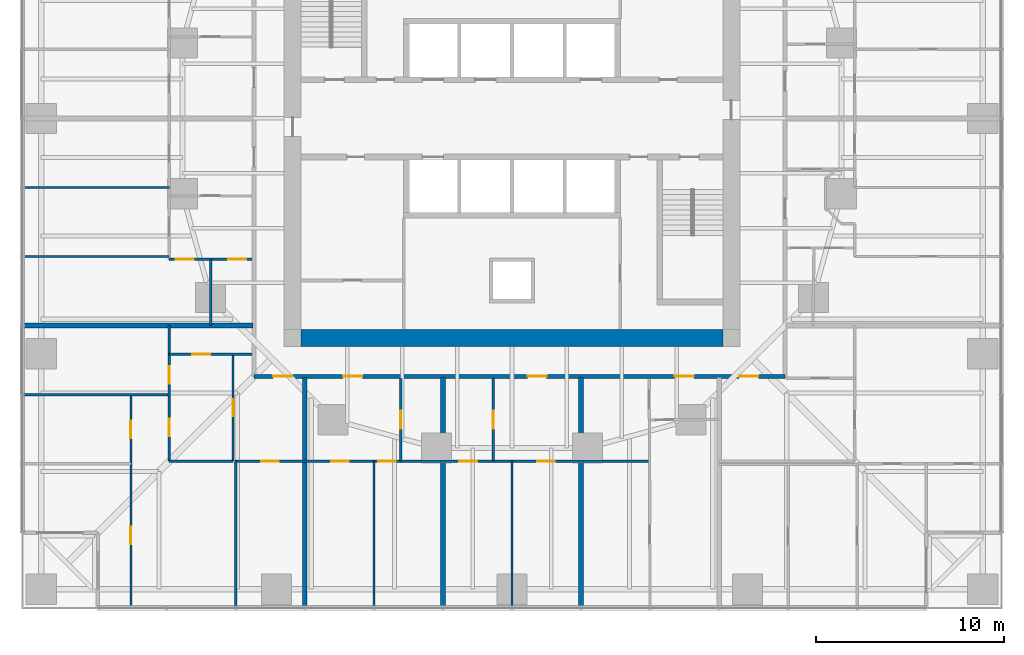
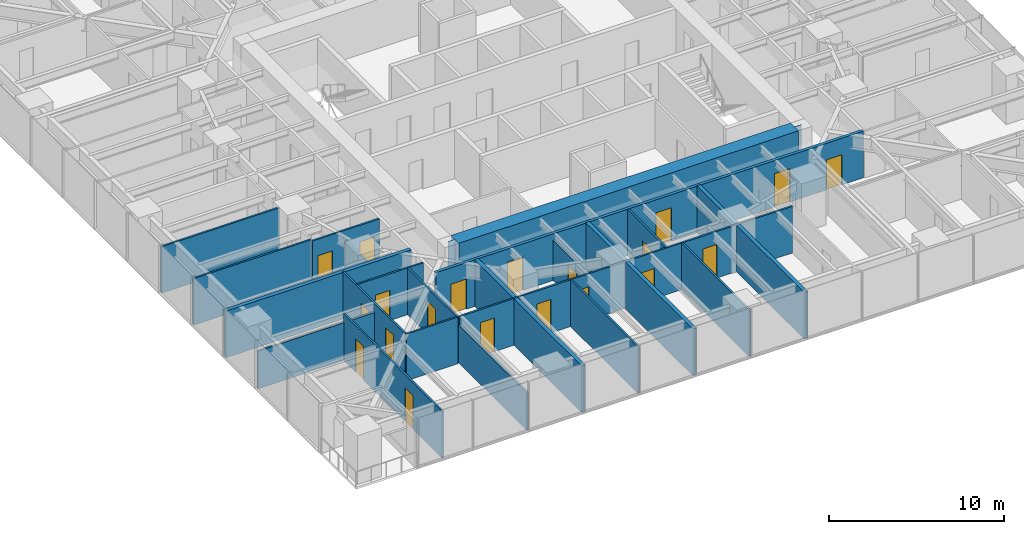
# One storey, part 8 of 16: 22 walls, 20 doors, 20 openings.
"""IFC4 building model written with IfcOpenShell, lengths in metres."""

from ifc_helpers import new_model, si_unit, direction, frame, frame_2d, origin, place, context, subcontext, project, spatial, polyline, rectangle, outline, extrude, material, layer, layer_set, type_object, element, fill, save


model = new_model("IFC4")

# Units and contexts
model_context = context("Model", 3, precision=1e-05, world=origin(), true_north=direction((0.0, 1.0)))
body_context = subcontext(model_context, "Body", "Model", "MODEL_VIEW")
ifc_project = project(units=[si_unit("LENGTHUNIT", "METRE"), si_unit("AREAUNIT", "SQUARE_METRE"), si_unit("VOLUMEUNIT", "CUBIC_METRE"), si_unit("PLANEANGLEUNIT", "RADIAN"), si_unit("MASSUNIT", "GRAM", prefix="KILO")], contexts=[model_context])

# Site, building, storey
site_placement = place(None, origin())
site = spatial("IfcSite", under=ifc_project, at=site_placement, CompositionType="ELEMENT")
building_placement = place(site_placement, origin())
building = spatial("IfcBuilding", under=site, at=building_placement, Name="Torsade Residences", CompositionType="ELEMENT")
storey_placement = place(building_placement, frame((0.0, 0.0, 35.39990234375)))
storey = spatial("IfcBuildingStorey", under=building, at=storey_placement, Name="L09", CompositionType="ELEMENT", Elevation=35.39990234375)

# Wall
ifc_material_1 = material(Name="Concrete 80 MPa", Category="concrete")
ifc_layer_1 = layer(ifc_material_1, 0.89990234375)
ifc_layer_set_1 = layer_set([ifc_layer_1], Name="Concrete 80 MPa")
wall_type_1 = type_object("IfcWallType", Name="CORE WALL 900", PredefinedType="SHEAR", material=ifc_layer_set_1)
wall_1_placement = place(storey_placement, frame((51.199951171875, 18.35009765625, 0.0), z_axis=(0.0, 0.0, 1.0), x_axis=(-1.0, 0.0, 0.0)))
element("IfcWall", 1, at=wall_1_placement, inside=storey, type_object=wall_type_1, Name="Core wall S L09", PredefinedType="SHEAR", context=body_context, shape_type="SweptSolid", body=[
    extrude(outline(polyline([(0.0, -0.449951171875), (22.39990234375, -0.449951171875), (22.39990234375, -0.02490234375), (22.849853515625, -0.02490234375), (22.849853515625, 0.02490234375), (22.39990234375, 0.02490234375), (22.39990234375, 0.449951171875), (0.0, 0.449951171875), (0.0, 0.02490234375), (-0.449951171875, 0.02490234375), (-0.449951171875, -0.02490234375), (0.0, -0.02490234375), (0.0, -0.449951171875)])), origin(), (0.0, 0.0, 1.0), 3.400146484375),
])

# Wall, openings, doors
ifc_material_2 = material(Name="Plasterboard on steel stud", Category="steel")
ifc_layer_2 = layer(ifc_material_2, 0.199951171875)
ifc_layer_set_2 = layer_set([ifc_layer_2], Name="Plasterboard on steel stud")
wall_type_2 = type_object("IfcWallType", Name="CORRIDOR WALL 200", PredefinedType="PARTITIONING", material=ifc_layer_set_2)
wall_2_placement = place(storey_placement, frame((26.300048828125, 16.300048828125, 0.0), z_axis=(0.0, 0.0, 1.0), x_axis=(1.0, 0.0, 0.0)))
wall_2 = element("IfcWall", 2, at=wall_2_placement, inside=storey, type_object=wall_type_2, Name="Corridor wall L09", PredefinedType="PARTITIONING", context=body_context, shape_type="SweptSolid", body=[
    extrude(rectangle(XDim=28.199951171875, YDim=0.199951171875, at=frame_2d((14.10009765625, 0.0))), origin(), (0.0, 0.0, 1.0), 3.25),
])
opening_1_placement = place(wall_2_placement, frame((4.73779296875, 0.0, 0.0)))
opening_1 = element("IfcOpeningElement", 3, at=opening_1_placement, cuts=wall_2, Name="Opening D01", PredefinedType="OPENING", context=body_context, shape_type="SweptSolid", body=[
    extrude(rectangle(XDim=1.02001953125, YDim=2.340087890625, at=frame_2d((0.510009765625, 1.169921875))), frame((0.0, 0.10986328125, 0.0), z_axis=(0.0, -1.0, 0.0), x_axis=(1.0, 0.0, 0.0)), (0.0, 0.0, 1.0), 0.219970703125),
])
opening_2_placement = place(wall_2_placement, frame((14.524658203125, 0.0, 0.0)))
opening_2 = element("IfcOpeningElement", 4, at=opening_2_placement, cuts=wall_2, Name="Opening D01", PredefinedType="OPENING", context=body_context, shape_type="SweptSolid", body=[
    extrude(rectangle(XDim=1.02001953125, YDim=2.340087890625, at=frame_2d((0.510009765625, 1.169921875))), frame((0.0, 0.10986328125, 0.0), z_axis=(0.0, -1.0, 0.0), x_axis=(1.0, 0.0, 0.0)), (0.0, 0.0, 1.0), 0.219970703125),
])
opening_3_placement = place(wall_2_placement, frame((22.333251953125, 0.0, 0.0)))
opening_3 = element("IfcOpeningElement", 5, at=opening_3_placement, cuts=wall_2, Name="Opening D01", PredefinedType="OPENING", context=body_context, shape_type="SweptSolid", body=[
    extrude(rectangle(XDim=1.02001953125, YDim=2.340087890625, at=frame_2d((0.510009765625, 1.169921875))), frame((0.0, 0.10986328125, 0.0), z_axis=(0.0, -1.0, 0.0), x_axis=(1.0, 0.0, 0.0)), (0.0, 0.0, 1.0), 0.219970703125),
])
opening_4_placement = place(wall_2_placement, frame((25.764892578125, 0.0, 0.0)))
opening_4 = element("IfcOpeningElement", 6, at=opening_4_placement, cuts=wall_2, Name="Opening D01L", PredefinedType="OPENING", context=body_context, shape_type="SweptSolid", body=[
    extrude(rectangle(XDim=1.02001953125, YDim=2.10009765625, at=frame_2d((0.510009765625, 1.050048828125))), frame((0.0, 0.10986328125, 0.0), z_axis=(0.0, -1.0, 0.0), x_axis=(1.0, 0.0, 0.0)), (0.0, 0.0, 1.0), 0.219970703125),
])
opening_5_placement = place(wall_2_placement, frame((1.014892578125, 0.0, 0.0)))
opening_5 = element("IfcOpeningElement", 7, at=opening_5_placement, cuts=wall_2, Name="Opening D01L", PredefinedType="OPENING", context=body_context, shape_type="SweptSolid", body=[
    extrude(rectangle(XDim=1.02001953125, YDim=2.10009765625, at=frame_2d((0.510009765625, 1.050048828125))), frame((0.0, 0.10986328125, 0.0), z_axis=(0.0, -1.0, 0.0), x_axis=(1.0, 0.0, 0.0)), (0.0, 0.0, 1.0), 0.219970703125),
])
ifc_material_3 = material(Name="Solid-core timber fire door", Category="wood")
door_type_1 = type_object("IfcDoorType", Name="APARTMENT ENTRY DOOR 1020x2100", OperationType="NOTDEFINED", PredefinedType="DOOR", material=ifc_material_3)
door_1_placement = place(opening_4_placement, origin())
door_1 = element("IfcDoor", 8, at=door_1_placement, inside=storey, type_object=door_type_1, Name="Door Residential corridor to Kitchen and dining", OperationType="SINGLE_SWING_RIGHT", OverallHeight=2.10009765625, OverallWidth=1.02001953125, PredefinedType="DOOR", context=body_context, shape_type="SweptSolid", body=[
    extrude(rectangle(XDim=1.02001953125, YDim=2.10009765625, at=frame_2d((0.510009765625, 1.050048828125))), frame((0.0, 0.02490234375, 0.0), z_axis=(0.0, -1.0, 0.0), x_axis=(1.0, 0.0, 0.0)), (0.0, 0.0, 1.0), 0.050048828125),
])
fill(opening_4, door_1)
door_2_placement = place(opening_5_placement, origin())
door_2 = element("IfcDoor", 9, at=door_2_placement, inside=storey, type_object=door_type_1, Name="Door Residential corridor to Kitchen and dining", OperationType="SINGLE_SWING_LEFT", OverallHeight=2.10009765625, OverallWidth=1.02001953125, PredefinedType="DOOR", context=body_context, shape_type="SweptSolid", body=[
    extrude(rectangle(XDim=1.02001953125, YDim=2.10009765625, at=frame_2d((0.510009765625, 1.050048828125))), frame((0.0, 0.02490234375, 0.0), z_axis=(0.0, -1.0, 0.0), x_axis=(1.0, 0.0, 0.0)), (0.0, 0.0, 1.0), 0.050048828125),
])
fill(opening_5, door_2)
ifc_material_4 = material(Name="Solid-core timber fire door", Category="wood")
door_type_2 = type_object("IfcDoorType", Name="APARTMENT ENTRY DOOR 1020x2340", OperationType="NOTDEFINED", PredefinedType="DOOR", material=ifc_material_4)
door_3_placement = place(opening_1_placement, origin())
door_3 = element("IfcDoor", 10, at=door_3_placement, inside=storey, type_object=door_type_2, Name="Door Residential corridor to Kitchen and dining", OperationType="SINGLE_SWING_LEFT", OverallHeight=2.340087890625, OverallWidth=1.02001953125, PredefinedType="DOOR", context=body_context, shape_type="SweptSolid", body=[
    extrude(rectangle(XDim=1.02001953125, YDim=2.340087890625, at=frame_2d((0.510009765625, 1.169921875))), frame((0.0, 0.02490234375, 0.0), z_axis=(0.0, -1.0, 0.0), x_axis=(1.0, 0.0, 0.0)), (0.0, 0.0, 1.0), 0.050048828125),
])
fill(opening_1, door_3)
door_4_placement = place(opening_2_placement, origin())
door_4 = element("IfcDoor", 11, at=door_4_placement, inside=storey, type_object=door_type_2, Name="Door Residential corridor to Kitchen and dining", OperationType="SINGLE_SWING_RIGHT", OverallHeight=2.340087890625, OverallWidth=1.02001953125, PredefinedType="DOOR", context=body_context, shape_type="SweptSolid", body=[
    extrude(rectangle(XDim=1.02001953125, YDim=2.340087890625, at=frame_2d((0.510009765625, 1.169921875))), frame((0.0, 0.02490234375, 0.0), z_axis=(0.0, -1.0, 0.0), x_axis=(1.0, 0.0, 0.0)), (0.0, 0.0, 1.0), 0.050048828125),
])
fill(opening_2, door_4)
door_5_placement = place(opening_3_placement, origin())
door_5 = element("IfcDoor", 12, at=door_5_placement, inside=storey, type_object=door_type_2, Name="Door Residential corridor to Kitchen and dining", OperationType="SINGLE_SWING_LEFT", OverallHeight=2.340087890625, OverallWidth=1.02001953125, PredefinedType="DOOR", context=body_context, shape_type="SweptSolid", body=[
    extrude(rectangle(XDim=1.02001953125, YDim=2.340087890625, at=frame_2d((0.510009765625, 1.169921875))), frame((0.0, 0.02490234375, 0.0), z_axis=(0.0, -1.0, 0.0), x_axis=(1.0, 0.0, 0.0)), (0.0, 0.0, 1.0), 0.050048828125),
])
fill(opening_3, door_5)

ifc_material_5 = material(Name="Plasterboard on steel stud", Category="steel")
ifc_layer_3 = layer(ifc_material_5, 0.1201171875)
ifc_layer_set_3 = layer_set([ifc_layer_3], Name="Plasterboard on steel stud")
wall_type_3 = type_object("IfcWallType", Name="PARTITION 120", PredefinedType="PARTITIONING", material=ifc_layer_set_3)
wall_3_placement = place(storey_placement, frame((21.800048828125, 22.515380859375, 0.0), z_axis=(0.0, 0.0, 1.0), x_axis=(1.0, 0.0, 0.0)))
wall_3 = element("IfcWall", 13, at=wall_3_placement, inside=storey, type_object=wall_type_3, Name="Partition L09", PredefinedType="PARTITIONING", context=body_context, shape_type="SweptSolid", body=[
    extrude(rectangle(XDim=4.39990234375, YDim=0.1201171875, at=frame_2d((2.199951171875, 0.0))), origin(), (0.0, 0.0, 1.0), 3.25),
])
opening_6_placement = place(wall_3_placement, frame((0.344970703125, 0.0, 0.0)))
opening_6 = element("IfcOpeningElement", 14, at=opening_6_placement, cuts=wall_3, Name="Opening D05", PredefinedType="OPENING", context=body_context, shape_type="SweptSolid", body=[
    extrude(rectangle(XDim=0.9599609375, YDim=2.10009765625, at=frame_2d((0.47998046875, 1.050048828125))), frame((0.0, 0.070068359375, 0.0), z_axis=(0.0, -1.0, 0.0), x_axis=(1.0, 0.0, 0.0)), (0.0, 0.0, 1.0), 0.14013671875),
])
opening_7_placement = place(wall_3_placement, frame((3.1201171875, 0.0, 0.0)))
opening_7 = element("IfcOpeningElement", 15, at=opening_7_placement, cuts=wall_3, Name="Opening D05", PredefinedType="OPENING", context=body_context, shape_type="SweptSolid", body=[
    extrude(rectangle(XDim=0.9599609375, YDim=2.10009765625, at=frame_2d((0.47998046875, 1.050048828125))), frame((0.0, 0.070068359375, 0.0), z_axis=(0.0, -1.0, 0.0), x_axis=(1.0, 0.0, 0.0)), (0.0, 0.0, 1.0), 0.14013671875),
])
ifc_material_6 = material(Name="Hollow-core timber door in a steel cavity frame", Category="steel")
door_type_3 = type_object("IfcDoorType", Name="BATHROOM CAVITY SLIDING DOOR 960", OperationType="SLIDING_TO_LEFT", PredefinedType="DOOR", material=ifc_material_6)
door_6_placement = place(opening_6_placement, origin())
door_6 = element("IfcDoor", 16, at=door_6_placement, inside=storey, type_object=door_type_3, Name="Door Ensuite to Bedroom 1", OperationType="SLIDING_TO_LEFT", OverallHeight=2.10009765625, OverallWidth=0.9599609375, PredefinedType="DOOR", context=body_context, shape_type="SweptSolid", body=[
    extrude(rectangle(XDim=0.9599609375, YDim=2.10009765625, at=frame_2d((0.47998046875, 1.050048828125))), frame((0.0, 0.02490234375, 0.0), z_axis=(0.0, -1.0, 0.0), x_axis=(1.0, 0.0, 0.0)), (0.0, 0.0, 1.0), 0.050048828125),
])
fill(opening_6, door_6)
door_7_placement = place(opening_7_placement, origin())
door_7 = element("IfcDoor", 17, at=door_7_placement, inside=storey, type_object=door_type_3, Name="Door Ensuite to Bathroom", OperationType="SLIDING_TO_LEFT", OverallHeight=2.10009765625, OverallWidth=0.9599609375, PredefinedType="DOOR", context=body_context, shape_type="SweptSolid", body=[
    extrude(rectangle(XDim=0.9599609375, YDim=2.10009765625, at=frame_2d((0.47998046875, 1.050048828125))), frame((0.0, 0.02490234375, 0.0), z_axis=(0.0, -1.0, 0.0), x_axis=(1.0, 0.0, 0.0)), (0.0, 0.0, 1.0), 0.050048828125),
])
fill(opening_7, door_7)

# Walls
wall_4_placement = place(storey_placement, frame((24.0, 19.0, 0.0), z_axis=(0.0, 0.0, 1.0), x_axis=(0.0, 1.0, 0.0)))
element("IfcWall", 18, at=wall_4_placement, inside=storey, type_object=wall_type_3, Name="Partition L09", PredefinedType="PARTITIONING", context=body_context, shape_type="SweptSolid", body=[
    extrude(rectangle(XDim=3.515380859375, YDim=0.1201171875, at=frame_2d((1.7578125, 0.0))), origin(), (0.0, 0.0, 1.0), 2.549072265625),
])
for number, where, z_axis, x_axis, name in (
    (19, (21.800048828125, 26.333251953125, 0.0), (0.0, 0.0, 1.0), (-1.0, 0.0, 0.0), "Partition L09"),
    (20, (14.0400390625, 22.666748046875, 0.0), (0.0, 0.0, 1.0), (1.0, 0.0, 0.0), "Partition L09"),
):
    element("IfcWall", number, at=place(storey_placement, frame(where, z_axis=z_axis, x_axis=x_axis)), inside=storey, type_object=wall_type_3, Name=name, PredefinedType="PARTITIONING", context=body_context, shape_type="SweptSolid", body=[
        extrude(rectangle(XDim=7.760009765625, YDim=0.1201171875, at=frame_2d((3.8798828125, 0.0))), origin(), (0.0, 0.0, 1.0), 3.25),
    ])

# Wall, opening, door
wall_5_placement = place(storey_placement, frame((25.189453125, 11.800048828125, 0.0), z_axis=(0.0, 0.0, 1.0), x_axis=(0.0, 1.0, 0.0)))
wall_5 = element("IfcWall", 21, at=wall_5_placement, inside=storey, type_object=wall_type_3, Name="Partition L09", PredefinedType="PARTITIONING", context=body_context, shape_type="SweptSolid", body=[
    extrude(rectangle(XDim=5.673828125, YDim=0.1201171875, at=frame_2d((2.8369140625, 0.0))), origin(), (0.0, 0.0, 1.0), 3.25),
])
opening_8_placement = place(wall_5_placement, frame((2.376953125, 0.0, 0.0)))
opening_8 = element("IfcOpeningElement", 22, at=opening_8_placement, cuts=wall_5, Name="Opening D02", PredefinedType="OPENING", context=body_context, shape_type="SweptSolid", body=[
    extrude(rectangle(XDim=0.919921875, YDim=2.340087890625, at=frame_2d((0.4599609375, 1.169921875))), frame((0.0, 0.070068359375, 0.0), z_axis=(0.0, -1.0, 0.0), x_axis=(1.0, 0.0, 0.0)), (0.0, 0.0, 1.0), 0.14013671875),
])
ifc_material_7 = material(Name="Hollow-core timber door", Category="wood")
door_type_4 = type_object("IfcDoorType", Name="INTERNAL DOOR 920x2340", OperationType="NOTDEFINED", PredefinedType="DOOR", material=ifc_material_7)
door_8_placement = place(opening_8_placement, origin())
door_8 = element("IfcDoor", 23, at=door_8_placement, inside=storey, type_object=door_type_4, Name="Door Kitchen and dining to Scullery", OperationType="SINGLE_SWING_LEFT", OverallHeight=2.340087890625, OverallWidth=0.919921875, PredefinedType="DOOR", context=body_context, shape_type="SweptSolid", body=[
    extrude(rectangle(XDim=0.919921875, YDim=2.340087890625, at=frame_2d((0.4599609375, 1.169921875))), frame((0.0, 0.02490234375, 0.0), z_axis=(0.0, -1.0, 0.0), x_axis=(1.0, 0.0, 0.0)), (0.0, 0.0, 1.0), 0.050048828125),
])
fill(opening_8, door_8)

wall_6_placement = place(storey_placement, frame((21.800048828125, 17.473876953125, 0.0), z_axis=(0.0, 0.0, 1.0), x_axis=(1.0, 0.0, 0.0)))
wall_6 = element("IfcWall", 24, at=wall_6_placement, inside=storey, type_object=wall_type_3, Name="Partition L09", PredefinedType="PARTITIONING", context=body_context, shape_type="SweptSolid", body=[
    extrude(rectangle(XDim=4.39990234375, YDim=0.1201171875, at=frame_2d((2.199951171875, 0.0))), origin(), (0.0, 0.0, 1.0), 3.25),
])
opening_9_placement = place(wall_6_placement, frame((1.21484375, 0.0, 0.0)))
opening_9 = element("IfcOpeningElement", 25, at=opening_9_placement, cuts=wall_6, Name="Opening D05", PredefinedType="OPENING", context=body_context, shape_type="SweptSolid", body=[
    extrude(rectangle(XDim=0.9599609375, YDim=2.10009765625, at=frame_2d((0.47998046875, 1.050048828125))), frame((0.0, 0.070068359375, 0.0), z_axis=(0.0, -1.0, 0.0), x_axis=(1.0, 0.0, 0.0)), (0.0, 0.0, 1.0), 0.14013671875),
])
door_9_placement = place(opening_9_placement, origin())
door_9 = element("IfcDoor", 26, at=door_9_placement, inside=storey, type_object=door_type_3, Name="Door Scullery to Bathroom", OperationType="SLIDING_TO_LEFT", OverallHeight=2.10009765625, OverallWidth=0.9599609375, PredefinedType="DOOR", context=body_context, shape_type="SweptSolid", body=[
    extrude(rectangle(XDim=0.9599609375, YDim=2.10009765625, at=frame_2d((0.47998046875, 1.050048828125))), frame((0.0, 0.02490234375, 0.0), z_axis=(0.0, -1.0, 0.0), x_axis=(1.0, 0.0, 0.0)), (0.0, 0.0, 1.0), 0.050048828125),
])
fill(opening_9, door_9)

# Wall, openings, doors
wall_7_placement = place(storey_placement, frame((47.28662109375, 11.800048828125, 0.0), z_axis=(0.0, 0.0, 1.0), x_axis=(-1.0, 0.0, 0.0)))
wall_7 = element("IfcWall", 27, at=wall_7_placement, inside=storey, type_object=wall_type_3, Name="Partition L09", PredefinedType="PARTITIONING", context=body_context, shape_type="SweptSolid", body=[
    extrude(rectangle(XDim=22.00341796875, YDim=0.1201171875, at=frame_2d((11.001708984375, 0.0))), origin(), (0.0, 0.0, 1.0), 3.25),
])
opening_10_placement = place(wall_7_placement, frame((15.96826171875, 0.0, 0.0)))
opening_10 = element("IfcOpeningElement", 28, at=opening_10_placement, cuts=wall_7, Name="Opening D02", PredefinedType="OPENING", context=body_context, shape_type="SweptSolid", body=[
    extrude(rectangle(XDim=0.919921875, YDim=2.340087890625, at=frame_2d((0.4599609375, 1.169921875))), frame((0.0, 0.070068359375, 0.0), z_axis=(0.0, -1.0, 0.0), x_axis=(1.0, 0.0, 0.0)), (0.0, 0.0, 1.0), 0.14013671875),
])
opening_11_placement = place(wall_7_placement, frame((13.47021484375, 0.0, 0.0)))
opening_11 = element("IfcOpeningElement", 29, at=opening_11_placement, cuts=wall_7, Name="Opening D02", PredefinedType="OPENING", context=body_context, shape_type="SweptSolid", body=[
    extrude(rectangle(XDim=0.919921875, YDim=2.340087890625, at=frame_2d((0.4599609375, 1.169921875))), frame((0.0, 0.070068359375, 0.0), z_axis=(0.0, -1.0, 0.0), x_axis=(1.0, 0.0, 0.0)), (0.0, 0.0, 1.0), 0.14013671875),
])
opening_12_placement = place(wall_7_placement, frame((5.01806640625, 0.0, 0.0)))
opening_12 = element("IfcOpeningElement", 30, at=opening_12_placement, cuts=wall_7, Name="Opening D02", PredefinedType="OPENING", context=body_context, shape_type="SweptSolid", body=[
    extrude(rectangle(XDim=0.919921875, YDim=2.340087890625, at=frame_2d((0.4599609375, 1.169921875))), frame((0.0, 0.070068359375, 0.0), z_axis=(0.0, -1.0, 0.0), x_axis=(1.0, 0.0, 0.0)), (0.0, 0.0, 1.0), 0.14013671875),
])
opening_13_placement = place(wall_7_placement, frame((19.684814453125, 0.0, 0.0)))
opening_13 = element("IfcOpeningElement", 31, at=opening_13_placement, cuts=wall_7, Name="Opening D02", PredefinedType="OPENING", context=body_context, shape_type="SweptSolid", body=[
    extrude(rectangle(XDim=0.919921875, YDim=2.340087890625, at=frame_2d((0.4599609375, 1.169921875))), frame((0.0, 0.070068359375, 0.0), z_axis=(0.0, -1.0, 0.0), x_axis=(1.0, 0.0, 0.0)), (0.0, 0.0, 1.0), 0.14013671875),
])
opening_14_placement = place(wall_7_placement, frame((9.138427734375, 0.0, 0.0)))
opening_14 = element("IfcOpeningElement", 32, at=opening_14_placement, cuts=wall_7, Name="Opening D05", PredefinedType="OPENING", context=body_context, shape_type="SweptSolid", body=[
    extrude(rectangle(XDim=0.9599609375, YDim=2.10009765625, at=frame_2d((0.47998046875, 1.050048828125))), frame((0.0, 0.070068359375, 0.0), z_axis=(0.0, -1.0, 0.0), x_axis=(1.0, 0.0, 0.0)), (0.0, 0.0, 1.0), 0.14013671875),
])
door_10_placement = place(opening_14_placement, origin())
door_10 = element("IfcDoor", 33, at=door_10_placement, inside=storey, type_object=door_type_3, Name="Door Bathroom to Living room", OperationType="SLIDING_TO_LEFT", OverallHeight=2.10009765625, OverallWidth=0.9599609375, PredefinedType="DOOR", context=body_context, shape_type="SweptSolid", body=[
    extrude(rectangle(XDim=0.9599609375, YDim=2.10009765625, at=frame_2d((0.47998046875, 1.050048828125))), frame((0.0, 0.02490234375, 0.0), z_axis=(0.0, -1.0, 0.0), x_axis=(1.0, 0.0, 0.0)), (0.0, 0.0, 1.0), 0.050048828125),
])
fill(opening_14, door_10)
door_11_placement = place(opening_10_placement, origin())
door_11 = element("IfcDoor", 34, at=door_11_placement, inside=storey, type_object=door_type_4, Name="Door Kitchen and dining to Living room", OperationType="SINGLE_SWING_LEFT", OverallHeight=2.340087890625, OverallWidth=0.919921875, PredefinedType="DOOR", context=body_context, shape_type="SweptSolid", body=[
    extrude(rectangle(XDim=0.919921875, YDim=2.340087890625, at=frame_2d((0.4599609375, 1.169921875))), frame((0.0, 0.02490234375, 0.0), z_axis=(0.0, -1.0, 0.0), x_axis=(1.0, 0.0, 0.0)), (0.0, 0.0, 1.0), 0.050048828125),
])
fill(opening_10, door_11)
door_12_placement = place(opening_11_placement, origin())
door_12 = element("IfcDoor", 35, at=door_12_placement, inside=storey, type_object=door_type_4, Name="Door Kitchen and dining to Bedroom 1", OperationType="SINGLE_SWING_RIGHT", OverallHeight=2.340087890625, OverallWidth=0.919921875, PredefinedType="DOOR", context=body_context, shape_type="SweptSolid", body=[
    extrude(rectangle(XDim=0.919921875, YDim=2.340087890625, at=frame_2d((0.4599609375, 1.169921875))), frame((0.0, 0.02490234375, 0.0), z_axis=(0.0, -1.0, 0.0), x_axis=(1.0, 0.0, 0.0)), (0.0, 0.0, 1.0), 0.050048828125),
])
fill(opening_11, door_12)
door_13_placement = place(opening_12_placement, origin())
door_13 = element("IfcDoor", 36, at=door_13_placement, inside=storey, type_object=door_type_4, Name="Door Kitchen and dining to Bedroom 1", OperationType="SINGLE_SWING_RIGHT", OverallHeight=2.340087890625, OverallWidth=0.919921875, PredefinedType="DOOR", context=body_context, shape_type="SweptSolid", body=[
    extrude(rectangle(XDim=0.919921875, YDim=2.340087890625, at=frame_2d((0.4599609375, 1.169921875))), frame((0.0, 0.02490234375, 0.0), z_axis=(0.0, -1.0, 0.0), x_axis=(1.0, 0.0, 0.0)), (0.0, 0.0, 1.0), 0.050048828125),
])
fill(opening_12, door_13)
door_14_placement = place(opening_13_placement, origin())
door_14 = element("IfcDoor", 37, at=door_14_placement, inside=storey, type_object=door_type_4, Name="Door Kitchen and dining to Bedroom 2", OperationType="SINGLE_SWING_RIGHT", OverallHeight=2.340087890625, OverallWidth=0.919921875, PredefinedType="DOOR", context=body_context, shape_type="SweptSolid", body=[
    extrude(rectangle(XDim=0.919921875, YDim=2.340087890625, at=frame_2d((0.4599609375, 1.169921875))), frame((0.0, 0.02490234375, 0.0), z_axis=(0.0, -1.0, 0.0), x_axis=(1.0, 0.0, 0.0)), (0.0, 0.0, 1.0), 0.050048828125),
])
fill(opening_13, door_14)

# Wall
wall_8_placement = place(storey_placement, frame((25.189453125, 11.800048828125, 0.0), z_axis=(0.0, 0.0, 1.0), x_axis=(-1.0, 0.0, 0.0)))
element("IfcWall", 38, at=wall_8_placement, inside=storey, type_object=wall_type_3, Name="Partition L09", PredefinedType="PARTITIONING", context=body_context, shape_type="SweptSolid", body=[
    extrude(rectangle(XDim=3.389404296875, YDim=0.1201171875, at=frame_2d((1.69482421875, 0.0))), origin(), (0.0, 0.0, 1.0), 3.25),
])

# Wall, openings, doors
wall_9_placement = place(storey_placement, frame((21.800048828125, 11.800048828125, 0.0), z_axis=(0.0, 0.0, 1.0), x_axis=(0.0, 1.0, 0.0)))
wall_9 = element("IfcWall", 39, at=wall_9_placement, inside=storey, type_object=wall_type_3, Name="Partition L09", PredefinedType="PARTITIONING", context=body_context, shape_type="SweptSolid", body=[
    extrude(rectangle(XDim=7.199951171875, YDim=0.1201171875, at=frame_2d((3.60009765625, 0.0))), origin(), (0.0, 0.0, 1.0), 3.25),
])
opening_15_placement = place(wall_9_placement, frame((1.33154296875, 0.0, 0.0)))
opening_15 = element("IfcOpeningElement", 40, at=opening_15_placement, cuts=wall_9, Name="Opening D02", PredefinedType="OPENING", context=body_context, shape_type="SweptSolid", body=[
    extrude(rectangle(XDim=0.919921875, YDim=2.340087890625, at=frame_2d((0.4599609375, 1.169921875))), frame((0.0, 0.070068359375, 0.0), z_axis=(0.0, -1.0, 0.0), x_axis=(1.0, 0.0, 0.0)), (0.0, 0.0, 1.0), 0.14013671875),
])
opening_16_placement = place(wall_9_placement, frame((4.11865234375, 0.0, 0.0)))
opening_16 = element("IfcOpeningElement", 41, at=opening_16_placement, cuts=wall_9, Name="Opening D02", PredefinedType="OPENING", context=body_context, shape_type="SweptSolid", body=[
    extrude(rectangle(XDim=0.919921875, YDim=2.340087890625, at=frame_2d((0.4599609375, 1.169921875))), frame((0.0, 0.070068359375, 0.0), z_axis=(0.0, -1.0, 0.0), x_axis=(1.0, 0.0, 0.0)), (0.0, 0.0, 1.0), 0.14013671875),
])
door_15_placement = place(opening_15_placement, origin())
door_15 = element("IfcDoor", 42, at=door_15_placement, inside=storey, type_object=door_type_4, Name="Door Scullery to Living room", OperationType="SINGLE_SWING_RIGHT", OverallHeight=2.340087890625, OverallWidth=0.919921875, PredefinedType="DOOR", context=body_context, shape_type="SweptSolid", body=[
    extrude(rectangle(XDim=0.919921875, YDim=2.340087890625, at=frame_2d((0.4599609375, 1.169921875))), frame((0.0, 0.02490234375, 0.0), z_axis=(0.0, -1.0, 0.0), x_axis=(1.0, 0.0, 0.0)), (0.0, 0.0, 1.0), 0.050048828125),
])
fill(opening_15, door_15)
door_16_placement = place(opening_16_placement, origin())
door_16 = element("IfcDoor", 43, at=door_16_placement, inside=storey, type_object=door_type_4, Name="Door Scullery to Bedroom 1", OperationType="SINGLE_SWING_LEFT", OverallHeight=2.340087890625, OverallWidth=0.919921875, PredefinedType="DOOR", context=body_context, shape_type="SweptSolid", body=[
    extrude(rectangle(XDim=0.919921875, YDim=2.340087890625, at=frame_2d((0.4599609375, 1.169921875))), frame((0.0, 0.02490234375, 0.0), z_axis=(0.0, -1.0, 0.0), x_axis=(1.0, 0.0, 0.0)), (0.0, 0.0, 1.0), 0.050048828125),
])
fill(opening_16, door_16)

# Walls
for number, where, z_axis, x_axis, name in (
    (44, (14.0400390625, 15.333251953125, 0.0), (0.0, 0.0, 1.0), (1.0, 0.0, 0.0), "Partition L09"),
    (45, (25.333251953125, 11.800048828125, 0.0), (0.0, 0.0, 1.0), (0.0, -1.0, 0.0), "Partition L09"),
):
    element("IfcWall", number, at=place(storey_placement, frame(where, z_axis=z_axis, x_axis=x_axis)), inside=storey, type_object=wall_type_3, Name=name, PredefinedType="PARTITIONING", context=body_context, shape_type="SweptSolid", body=[
        extrude(rectangle(XDim=7.760009765625, YDim=0.1201171875, at=frame_2d((3.8798828125, 0.0))), origin(), (0.0, 0.0, 1.0), 2.63818359375),
    ])

# Wall, openings, doors
wall_10_placement = place(storey_placement, frame((19.7666015625, 4.0400390625, 0.0), z_axis=(0.0, 0.0, 1.0), x_axis=(0.0, 1.0, 0.0)))
wall_10 = element("IfcWall", 46, at=wall_10_placement, inside=storey, type_object=wall_type_3, Name="Partition L09", PredefinedType="PARTITIONING", context=body_context, shape_type="SweptSolid", body=[
    extrude(rectangle(XDim=11.293212890625, YDim=0.1201171875, at=frame_2d((5.646484375, 0.0))), origin(), (0.0, 0.0, 1.0), 3.25),
])
opening_17_placement = place(wall_10_placement, frame((3.3583984375, 0.0, 0.0)))
opening_17 = element("IfcOpeningElement", 47, at=opening_17_placement, cuts=wall_10, Name="Opening D02", PredefinedType="OPENING", context=body_context, shape_type="SweptSolid", body=[
    extrude(rectangle(XDim=0.919921875, YDim=2.340087890625, at=frame_2d((0.4599609375, 1.169921875))), frame((0.0, 0.070068359375, 0.0), z_axis=(0.0, -1.0, 0.0), x_axis=(1.0, 0.0, 0.0)), (0.0, 0.0, 1.0), 0.14013671875),
])
opening_18_placement = place(wall_10_placement, frame((8.97509765625, 0.0, 0.0)))
opening_18 = element("IfcOpeningElement", 48, at=opening_18_placement, cuts=wall_10, Name="Opening D02", PredefinedType="OPENING", context=body_context, shape_type="SweptSolid", body=[
    extrude(rectangle(XDim=0.919921875, YDim=2.340087890625, at=frame_2d((0.4599609375, 1.169921875))), frame((0.0, 0.070068359375, 0.0), z_axis=(0.0, -1.0, 0.0), x_axis=(1.0, 0.0, 0.0)), (0.0, 0.0, 1.0), 0.14013671875),
])
door_17_placement = place(opening_17_placement, origin())
door_17 = element("IfcDoor", 49, at=door_17_placement, inside=storey, type_object=door_type_4, Name="Door Living room to Study", OperationType="SINGLE_SWING_RIGHT", OverallHeight=2.340087890625, OverallWidth=0.919921875, PredefinedType="DOOR", context=body_context, shape_type="SweptSolid", body=[
    extrude(rectangle(XDim=0.919921875, YDim=2.340087890625, at=frame_2d((0.4599609375, 1.169921875))), frame((0.0, 0.02490234375, 0.0), z_axis=(0.0, -1.0, 0.0), x_axis=(1.0, 0.0, 0.0)), (0.0, 0.0, 1.0), 0.050048828125),
])
fill(opening_17, door_17)
door_18_placement = place(opening_18_placement, origin())
door_18 = element("IfcDoor", 50, at=door_18_placement, inside=storey, type_object=door_type_4, Name="Door Living room to Family room", OperationType="SINGLE_SWING_LEFT", OverallHeight=2.340087890625, OverallWidth=0.919921875, PredefinedType="DOOR", context=body_context, shape_type="SweptSolid", body=[
    extrude(rectangle(XDim=0.919921875, YDim=2.340087890625, at=frame_2d((0.4599609375, 1.169921875))), frame((0.0, 0.02490234375, 0.0), z_axis=(0.0, -1.0, 0.0), x_axis=(1.0, 0.0, 0.0)), (0.0, 0.0, 1.0), 0.050048828125),
])
fill(opening_18, door_18)

# Wall, opening, door
wall_11_placement = place(storey_placement, frame((34.095703125, 16.199951171875, 0.0), z_axis=(0.0, 0.0, 1.0), x_axis=(0.0, -1.0, 0.0)))
wall_11 = element("IfcWall", 51, at=wall_11_placement, inside=storey, type_object=wall_type_3, Name="Partition L09", PredefinedType="PARTITIONING", context=body_context, shape_type="SweptSolid", body=[
    extrude(rectangle(XDim=4.39990234375, YDim=0.1201171875, at=frame_2d((2.199951171875, 0.0))), origin(), (0.0, 0.0, 1.0), 2.796142578125),
])
opening_19_placement = place(wall_11_placement, frame((1.719970703125, 0.0, 0.0)))
opening_19 = element("IfcOpeningElement", 52, at=opening_19_placement, cuts=wall_11, Name="Opening D05", PredefinedType="OPENING", context=body_context, shape_type="SweptSolid", body=[
    extrude(rectangle(XDim=0.9599609375, YDim=2.10009765625, at=frame_2d((0.47998046875, 1.050048828125))), frame((0.0, 0.070068359375, 0.0), z_axis=(0.0, -1.0, 0.0), x_axis=(1.0, 0.0, 0.0)), (0.0, 0.0, 1.0), 0.14013671875),
])
door_19_placement = place(opening_19_placement, origin())
door_19 = element("IfcDoor", 53, at=door_19_placement, inside=storey, type_object=door_type_3, Name="Door Kitchen and dining to Bathroom", OperationType="SLIDING_TO_LEFT", OverallHeight=2.10009765625, OverallWidth=0.9599609375, PredefinedType="DOOR", context=body_context, shape_type="SweptSolid", body=[
    extrude(rectangle(XDim=0.9599609375, YDim=2.10009765625, at=frame_2d((0.47998046875, 1.050048828125))), frame((0.0, 0.02490234375, 0.0), z_axis=(0.0, -1.0, 0.0), x_axis=(1.0, 0.0, 0.0)), (0.0, 0.0, 1.0), 0.050048828125),
])
fill(opening_19, door_19)

# Wall
wall_12_placement = place(storey_placement, frame((32.666748046875, 11.800048828125, 0.0), z_axis=(0.0, 0.0, 1.0), x_axis=(0.0, -1.0, 0.0)))
element("IfcWall", 54, at=wall_12_placement, inside=storey, type_object=wall_type_3, Name="Partition L09", PredefinedType="PARTITIONING", context=body_context, shape_type="SweptSolid", body=[
    extrude(rectangle(XDim=7.760009765625, YDim=0.1201171875, at=frame_2d((3.8798828125, 0.0))), origin(), (0.0, 0.0, 1.0), 3.25),
])

# Wall, opening, door
wall_13_placement = place(storey_placement, frame((39.002685546875, 11.800048828125, 0.0), z_axis=(0.0, 0.0, 1.0), x_axis=(0.0, 1.0, 0.0)))
wall_13 = element("IfcWall", 55, at=wall_13_placement, inside=storey, type_object=wall_type_3, Name="Partition L09", PredefinedType="PARTITIONING", context=body_context, shape_type="SweptSolid", body=[
    extrude(rectangle(XDim=4.39990234375, YDim=0.1201171875, at=frame_2d((2.199951171875, 0.0))), origin(), (0.0, 0.0, 1.0), 3.25),
])
opening_20_placement = place(wall_13_placement, frame((1.719970703125, 0.0, 0.0)))
opening_20 = element("IfcOpeningElement", 56, at=opening_20_placement, cuts=wall_13, Name="Opening D05", PredefinedType="OPENING", context=body_context, shape_type="SweptSolid", body=[
    extrude(rectangle(XDim=0.9599609375, YDim=2.10009765625, at=frame_2d((0.47998046875, 1.050048828125))), frame((0.0, 0.070068359375, 0.0), z_axis=(0.0, -1.0, 0.0), x_axis=(1.0, 0.0, 0.0)), (0.0, 0.0, 1.0), 0.14013671875),
])
door_20_placement = place(opening_20_placement, origin())
door_20 = element("IfcDoor", 57, at=door_20_placement, inside=storey, type_object=door_type_3, Name="Door Kitchen and dining to Bathroom", OperationType="SLIDING_TO_LEFT", OverallHeight=2.10009765625, OverallWidth=0.9599609375, PredefinedType="DOOR", context=body_context, shape_type="SweptSolid", body=[
    extrude(rectangle(XDim=0.9599609375, YDim=2.10009765625, at=frame_2d((0.47998046875, 1.050048828125))), frame((0.0, 0.02490234375, 0.0), z_axis=(0.0, -1.0, 0.0), x_axis=(1.0, 0.0, 0.0)), (0.0, 0.0, 1.0), 0.050048828125),
])
fill(opening_20, door_20)

# Walls
wall_14_placement = place(storey_placement, frame((40.0, 11.800048828125, 0.0), z_axis=(0.0, 0.0, 1.0), x_axis=(0.0, -1.0, 0.0)))
element("IfcWall", 58, at=wall_14_placement, inside=storey, type_object=wall_type_3, Name="Partition L09", PredefinedType="PARTITIONING", context=body_context, shape_type="SweptSolid", body=[
    extrude(rectangle(XDim=7.760009765625, YDim=0.1201171875, at=frame_2d((3.8798828125, 0.0))), origin(), (0.0, 0.0, 1.0), 3.25),
])
ifc_material_8 = material(Name="Masonry-lined stud party wall", Category="masonry")
ifc_layer_4 = layer(ifc_material_8, 0.25)
ifc_layer_set_4 = layer_set([ifc_layer_4], Name="Masonry-lined stud party wall")
wall_type_4 = type_object("IfcWallType", Name="PARTY WALL 250", PredefinedType="PARTITIONING", material=ifc_layer_set_4)
for number, where, z_axis, x_axis, name in (
    (59, (29.0, 4.0, 0.0), (0.0, 0.0, 1.0), (0.0, 1.0, 0.0), "Party wall L09"),
    (60, (36.333251953125, 4.0, 0.0), (0.0, 0.0, 1.0), (0.0, 1.0, 0.0), "Party wall L09"),
    (61, (43.666748046875, 4.0, 0.0), (0.0, 0.0, 1.0), (0.0, 1.0, 0.0), "Party wall L09"),
    (62, (14.0, 19.0, 0.0), (0.0, 0.0, 1.0), (1.0, 0.0, 0.0), "Party wall L09"),
):
    element("IfcWall", number, at=place(storey_placement, frame(where, z_axis=z_axis, x_axis=x_axis)), inside=storey, type_object=wall_type_4, Name=name, PredefinedType="PARTITIONING", context=body_context, shape_type="SweptSolid", body=[
        extrude(rectangle(XDim=12.239990234375, YDim=0.25, at=frame_2d((6.1201171875, 0.0))), origin(), (0.0, 0.0, 1.0), 3.25),
    ])

save(model, "model.ifc")
